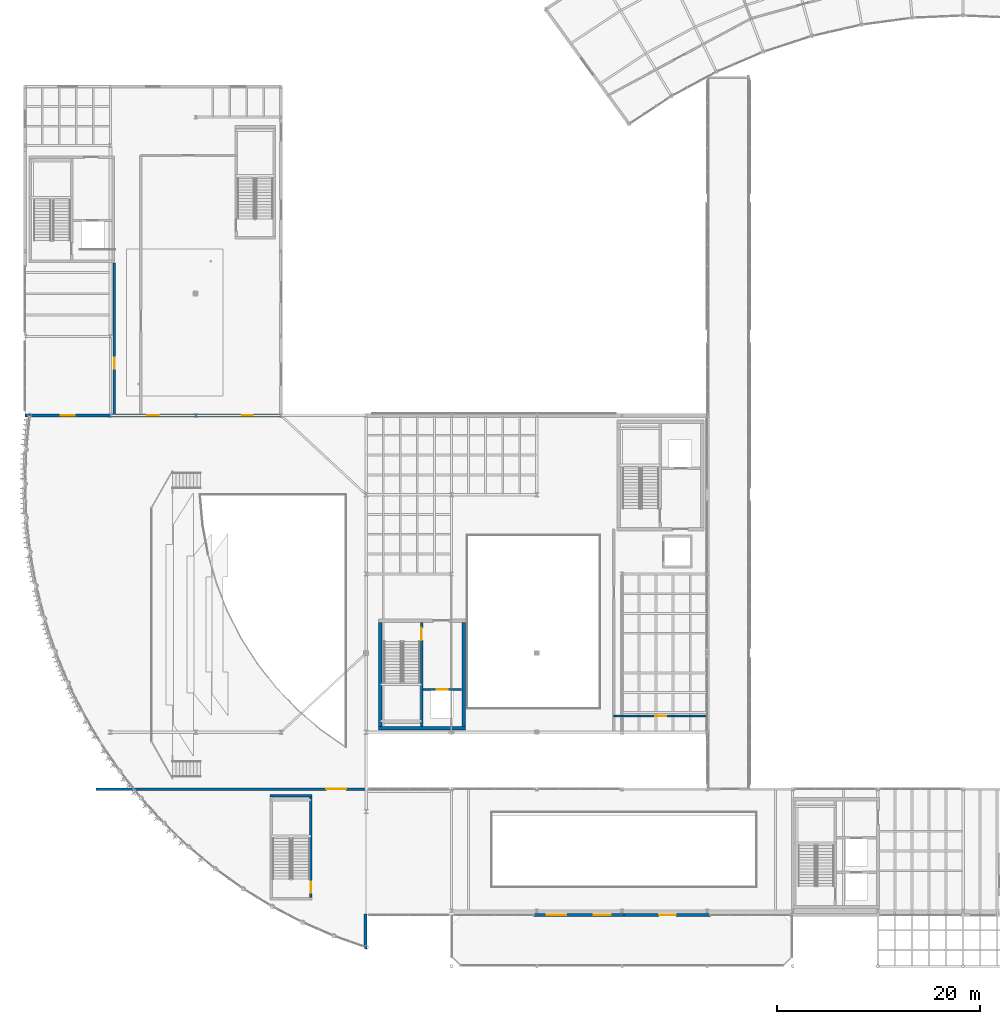
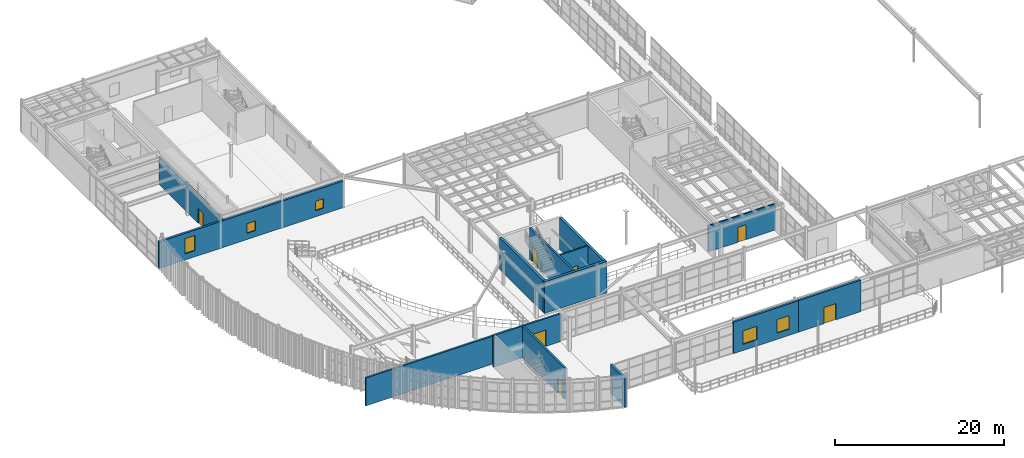
# One storey, part 95 of 116: 14 walls, 7 doors, 5 windows, 12 openings.
"""IFC4 building model written with IfcOpenShell, lengths in metres."""

import ifcopenshell
import ifcopenshell.guid

model = None  # the IFC model being written
_history = None  # IfcOwnerHistory: only IFC2X3 demands one
_inside = {}  # id of a spatial element -> (the spatial element, [elements in it])
_under = {}  # id of a project, library or spatial element -> (it, [spatial elements below it])
_declared = {}  # id of a project -> (the project, [libraries it declares])
_typed = {}  # id of a type object -> (the type object, [elements of that type])
_made_of = {}  # id of a material, layer set ... -> (it, [elements and type objects made of it])


def new_model(schema):
    """Start an empty IFC model of exactly this schema.

    Asked for "IFC4X3", IfcOpenShell would pick the latest addendum, in which some entities
    have other attributes; the version numbers below select the first issue.
    IFC2X3 requires an IfcOwnerHistory on every rooted entity: one is made here for all.
    """
    global model, _history
    if schema == "IFC4X3":
        model = ifcopenshell.file(schema_version=(4, 3, 0, 0))
    else:
        model = ifcopenshell.file(schema=schema)
    _inside.clear()
    _under.clear()
    _declared.clear()
    _typed.clear()
    _made_of.clear()
    _history = None
    if model.schema == "IFC2X3":
        org = make("IfcOrganization", Name="unknown")
        user = make(
            "IfcPersonAndOrganization",
            ThePerson=make("IfcPerson", FamilyName="unknown"),
            TheOrganization=org,
        )
        app = make(
            "IfcApplication",
            ApplicationDeveloper=org,
            Version="unknown",
            ApplicationFullName="unknown",
            ApplicationIdentifier="unknown",
        )
        _history = make(
            "IfcOwnerHistory",
            OwningUser=user,
            OwningApplication=app,
            ChangeAction="ADDED",
            CreationDate=0,
        )
    return model


def make(cls, **values):
    """One entity of the class cls with the attributes given. An attribute that is None is left unset."""
    return model.create_entity(
        cls, **{name: value for name, value in values.items() if value is not None}
    )


def rooted(cls, **values):
    """An entity with a GlobalId (a new one), such as an element, a storey or a relation."""
    return make(cls, GlobalId=ifcopenshell.guid.new(), OwnerHistory=_history, **values)


def si_unit(unit_type, name, prefix=None):
    """IfcSIUnit, for example si_unit("LENGTHUNIT", "METRE", prefix="MILLI")."""
    return make("IfcSIUnit", UnitType=unit_type, Prefix=prefix, Name=name)


def assignment(units):
    """IfcUnitAssignment: the units of a project."""
    return None if units is None else make("IfcUnitAssignment", Units=units)


def point(xyz):
    """IfcCartesianPoint."""
    return None if xyz is None else make("IfcCartesianPoint", Coordinates=xyz)


def direction(xyz):
    """IfcDirection."""
    return None if xyz is None else make("IfcDirection", DirectionRatios=xyz)


def frame(location, z_axis=None, x_axis=None):
    """IfcAxis2Placement3D, a coordinate frame: its origin and axes. An axis left out is left unset."""
    return make(
        "IfcAxis2Placement3D",
        Location=point(location),
        Axis=direction(z_axis),
        RefDirection=direction(x_axis),
    )


def frame_2d(location, x_axis=None):
    """IfcAxis2Placement2D, a coordinate frame in the plane: its origin and x axis."""
    return make(
        "IfcAxis2Placement2D", Location=point(location), RefDirection=direction(x_axis)
    )


def origin():
    """The frame at (0, 0, 0) with its axes left unset."""
    return frame((0.0, 0.0, 0.0))


def place(relative_to, where):
    """IfcLocalPlacement: puts the frame where relative to a parent placement (None: the world)."""
    return make(
        "IfcLocalPlacement", PlacementRelTo=relative_to, RelativePlacement=where
    )


def context(
    kind, dimensions, precision=None, world=None, true_north=None, identifier=None
):
    """IfcGeometricRepresentationContext, for example the 3D "Model" context."""
    return make(
        "IfcGeometricRepresentationContext",
        ContextIdentifier=identifier,
        ContextType=kind,
        CoordinateSpaceDimension=dimensions,
        Precision=precision,
        WorldCoordinateSystem=world,
        TrueNorth=true_north,
    )


def subcontext(parent, identifier, kind, view, scale=None):
    """IfcGeometricRepresentationSubContext, for example "Body" below "Model"."""
    return make(
        "IfcGeometricRepresentationSubContext",
        ContextIdentifier=identifier,
        ContextType=kind,
        ParentContext=parent,
        TargetScale=scale,
        TargetView=view,
    )


def project(units=None, contexts=None):
    """IfcProject with its units and contexts."""
    return rooted(
        "IfcProject",
        Name="project",
        RepresentationContexts=contexts,
        UnitsInContext=assignment(units),
    )


def spatial(cls, under=None, at=None, **own):
    """A site, building, storey or space (cls), placed at a placement, below another one or the project."""
    s = rooted(cls, ObjectPlacement=at, **own)
    if under is not None:
        _under.setdefault(under.id(), (under, []))[1].append(s)
    return s


def profile(cls, at=None, kind="AREA", **sizes):
    """A parametric profile (cls). Its sizes go by their IFC names, for example OverallWidth=200.0."""
    return make(cls, ProfileType=kind, Position=at, **sizes)


def rectangle(**sizes):
    """IfcRectangleProfileDef."""
    return profile("IfcRectangleProfileDef", **sizes)


def extrude(swept, where, along, depth):
    """IfcExtrudedAreaSolid: the profile swept, set in the frame where, extruded along a direction by depth."""
    return make(
        "IfcExtrudedAreaSolid",
        SweptArea=swept,
        Position=where,
        ExtrudedDirection=direction(along),
        Depth=depth,
    )


def shape(context_of_items, identifier, shape_type, items):
    """IfcShapeRepresentation: the items that make up one representation, for example the "Body"."""
    return make(
        "IfcShapeRepresentation",
        ContextOfItems=context_of_items,
        RepresentationIdentifier=identifier,
        RepresentationType=shape_type,
        Items=items,
    )


def material(Name=None, Category=None):
    """IfcMaterial."""
    return make("IfcMaterial", Name=Name, Category=Category)


def layer(
    of_material, thickness, ventilated=None, Name=None, Category=None, Priority=None
):
    """IfcMaterialLayer: one layer of a wall or slab, of a material (None: an air gap)."""
    return make(
        "IfcMaterialLayer",
        Material=of_material,
        LayerThickness=thickness,
        IsVentilated=ventilated,
        Name=Name,
        Category=Category,
        Priority=Priority,
    )


def layer_set(layers, Name=None):
    """IfcMaterialLayerSet."""
    return make("IfcMaterialLayerSet", MaterialLayers=layers, LayerSetName=Name)


def made_of(thing, what):
    """Note that an element or type object is made of a material, layer set ...; save() writes the relation."""
    if what is not None:
        _made_of.setdefault(what.id(), (what, []))[1].append(thing)
    return thing


def type_object(cls, material=None, **own):
    """A type object (cls), such as IfcWallType, which elements share."""
    return made_of(rooted(cls, **own), material)


def element(
    cls,
    number,
    at=None,
    inside=None,
    cuts=None,
    type_object=None,
    material=None,
    context=None,
    identifier="Body",
    shape_type=None,
    held_by="IfcProductDefinitionShape",
    body=None,
    shapes=None,
    **own,
):
    """One element of the class cls, such as IfcWall. Its Tag is "e" and its number.

    at: its placement. inside: the storey or other place that contains it. cuts: it is an
    opening in that element (IfcRelVoidsElement). A single representation is given by context,
    identifier, shape_type and body (its items); several are given by shapes. held_by: the class
    of the entity that holds the representations. save() writes the other relations.
    """
    e = rooted(cls, Tag="e%d" % number, ObjectPlacement=at, **own)
    if body is not None:
        shapes = [shape(context, identifier, shape_type, body)]
    if shapes is not None:
        e.Representation = make(held_by, Representations=shapes)
    if inside is not None:
        _inside.setdefault(inside.id(), (inside, []))[1].append(e)
    if cuts is not None:
        rooted(
            "IfcRelVoidsElement", RelatingBuildingElement=cuts, RelatedOpeningElement=e
        )
    if type_object is not None:
        _typed.setdefault(type_object.id(), (type_object, []))[1].append(e)
    return made_of(e, material)


def fill(opening, filler):
    """IfcRelFillsElement: the door or window that sits in an opening."""
    return rooted(
        "IfcRelFillsElement",
        RelatingOpeningElement=opening,
        RelatedBuildingElement=filler,
    )


def aggregate(whole, parts):
    """IfcRelAggregates: a whole, such as a stair, and the parts it consists of."""
    return rooted("IfcRelAggregates", RelatingObject=whole, RelatedObjects=parts)


def save(model, path):
    """Write the relations noted so far, then the file.

    IfcRelAggregates (storeys below a building ...), IfcRelContainedInSpatialStructure (elements
    in a storey), IfcRelDefinesByType, IfcRelAssociatesMaterial and IfcRelDeclares: one each for
    every whole, place, type object, material and project.
    """
    for whole, parts in _under.values():
        aggregate(whole, parts)
    for where, things in _inside.values():
        rooted(
            "IfcRelContainedInSpatialStructure",
            RelatedElements=things,
            RelatingStructure=where,
        )
    for kind, things in _typed.values():
        rooted("IfcRelDefinesByType", RelatedObjects=things, RelatingType=kind)
    for what, things in _made_of.values():
        rooted("IfcRelAssociatesMaterial", RelatedObjects=things, RelatingMaterial=what)
    for by, libraries in _declared.values():
        rooted("IfcRelDeclares", RelatingContext=by, RelatedDefinitions=libraries)
    model.write(path)


model = new_model("IFC4")

# Units and contexts
model_context = context("Model", 3, precision=1e-05, world=origin(), true_north=direction((0.0, 1.0)))
body_context = subcontext(model_context, "Body", "Model", "MODEL_VIEW")
ifc_project = project(units=[si_unit("LENGTHUNIT", "METRE"), si_unit("AREAUNIT", "SQUARE_METRE"), si_unit("VOLUMEUNIT", "CUBIC_METRE"), si_unit("PLANEANGLEUNIT", "RADIAN"), si_unit("MASSUNIT", "GRAM", prefix="KILO")], contexts=[model_context])

# Site, building, storey
site_placement = place(None, origin())
site = spatial("IfcSite", under=ifc_project, at=site_placement, CompositionType="ELEMENT")
building_placement = place(site_placement, origin())
building = spatial("IfcBuilding", under=site, at=building_placement, Name="Selat Folded Stagehouse", CompositionType="ELEMENT")
storey_placement = place(building_placement, frame((0.0, 0.0, 5.39990234375)))
storey = spatial("IfcBuildingStorey", under=building, at=storey_placement, Name="L01", CompositionType="ELEMENT", Elevation=5.39990234375)

# Wall, opening, door
ifc_material_1 = material(Name="Double-stud acoustic gypsum and mineral wool", Category="gypsum")
ifc_layer_1 = layer(ifc_material_1, 0.239990234375)
ifc_layer_set_1 = layer_set([ifc_layer_1], Name="Double-stud acoustic gypsum and mineral wool")
wall_type_1 = type_object("IfcWallType", Name="WAL-ACOU-240", PredefinedType="PARTITIONING", material=ifc_layer_set_1)
wall_1_placement = place(storey_placement, frame((7.0, 17.800048828125, 0.0), z_axis=(0.0, 0.0, 1.0), x_axis=(1.0, 0.0, 0.0)))
wall_1 = element("IfcWall", 1, at=wall_1_placement, inside=storey, type_object=wall_type_1, Name="L01 interior partition wall 044", PredefinedType="PARTITIONING", context=body_context, shape_type="SweptSolid", body=[
    extrude(rectangle(XDim=26.60009765625, YDim=0.239990234375, at=frame_2d((13.300048828125, 0.0))), origin(), (0.0, 0.0, 1.0), 4.03271484375),
])
opening_1_placement = place(wall_1_placement, frame((22.677978515625, 0.0, 0.0)))
opening_1 = element("IfcOpeningElement", 2, at=opening_1_placement, cuts=wall_1, Name="Opening AD-02", PredefinedType="OPENING", context=body_context, shape_type="SweptSolid", body=[
    extrude(rectangle(XDim=1.949951171875, YDim=2.35009765625, at=frame_2d((0.97509765625, 1.175048828125))), frame((0.0, 0.1298828125, 0.0), z_axis=(0.0, -1.0, 0.0), x_axis=(1.0, 0.0, 0.0)), (0.0, 0.0, 1.0), 0.260009765625),
])
ifc_material_2 = material(Name="Circle auditorium acoustic double door", Category="wood")
door_type_1 = type_object("IfcDoorType", Name="DOR-AUD-1950", OperationType="NOTDEFINED", PredefinedType="DOOR", material=ifc_material_2)
door_1_placement = place(opening_1_placement, origin())
door_1 = element("IfcDoor", 3, at=door_1_placement, inside=storey, type_object=door_type_1, Name="L01 interior door IWAL-L01-044-1", OperationType="SINGLE_SWING_LEFT", OverallHeight=2.35009765625, OverallWidth=1.949951171875, PredefinedType="DOOR", context=body_context, shape_type="SweptSolid", body=[
    extrude(rectangle(XDim=1.949951171875, YDim=2.35009765625, at=frame_2d((0.97509765625, 1.175048828125))), frame((0.0, 0.02490234375, 0.0), z_axis=(0.0, -1.0, 0.0), x_axis=(1.0, 0.0, 0.0)), (0.0, 0.0, 1.0), 0.050048828125),
])
fill(opening_1, door_1)

wall_2_placement = place(storey_placement, frame((8.800048828125, 54.60009765625, 0.0), z_axis=(0.0, 0.0, 1.0), x_axis=(0.0, 1.0, 0.0)))
wall_2 = element("IfcWall", 4, at=wall_2_placement, inside=storey, type_object=wall_type_1, Name="L01 interior partition wall 054", PredefinedType="PARTITIONING", context=body_context, shape_type="SweptSolid", body=[
    extrude(rectangle(XDim=15.0, YDim=0.239990234375, at=frame_2d((7.5, 0.0))), origin(), (0.0, 0.0, 1.0), 4.0390625),
])
opening_2_placement = place(wall_2_placement, frame((4.5869140625, 0.0, 0.0)))
opening_2 = element("IfcOpeningElement", 5, at=opening_2_placement, cuts=wall_2, Name="Opening FD-60", PredefinedType="OPENING", context=body_context, shape_type="SweptSolid", body=[
    extrude(rectangle(XDim=1.10009765625, YDim=2.14990234375, at=frame_2d((0.550048828125, 1.074951171875))), frame((0.0, 0.1298828125, 0.0), z_axis=(0.0, -1.0, 0.0), x_axis=(1.0, 0.0, 0.0)), (0.0, 0.0, 1.0), 0.260009765625),
])
ifc_material_3 = material(Name="Fire-rated timber core door", Category="wood")
door_type_2 = type_object("IfcDoorType", Name="DOR-FIRE-60", OperationType="NOTDEFINED", PredefinedType="DOOR", material=ifc_material_3)
door_2_placement = place(opening_2_placement, origin())
door_2 = element("IfcDoor", 6, at=door_2_placement, inside=storey, type_object=door_type_2, Name="L01 interior door IWAL-L01-054-1", OperationType="SINGLE_SWING_LEFT", OverallHeight=2.14990234375, OverallWidth=1.10009765625, PredefinedType="DOOR", context=body_context, shape_type="SweptSolid", body=[
    extrude(rectangle(XDim=1.10009765625, YDim=2.14990234375, at=frame_2d((0.550048828125, 1.074951171875))), frame((0.0, 0.02490234375, 0.0), z_axis=(0.0, -1.0, 0.0), x_axis=(1.0, 0.0, 0.0)), (0.0, 0.0, 1.0), 0.050048828125),
])
fill(opening_2, door_2)

ifc_material_4 = material(Name="Concrete C40/50", Category="concrete")
ifc_layer_2 = layer(ifc_material_4, 0.179931640625)
ifc_layer_set_2 = layer_set([ifc_layer_2], Name="Concrete C40/50")
wall_type_2 = type_object("IfcWallType", Name="WAL-COMP-180", PredefinedType="STANDARD", material=ifc_layer_set_2)
wall_3_placement = place(storey_placement, frame((58.0, 25.0, 0.0), z_axis=(0.0, 0.0, 1.0), x_axis=(1.0, 0.0, 0.0)))
wall_3 = element("IfcWall", 7, at=wall_3_placement, inside=storey, type_object=wall_type_2, Name="L01 interior partition wall 046", PredefinedType="STANDARD", context=body_context, shape_type="SweptSolid", body=[
    extrude(rectangle(XDim=9.199951171875, YDim=0.179931640625, at=frame_2d((4.60009765625, 0.0))), origin(), (0.0, 0.0, 1.0), 3.80224609375),
])
opening_3_placement = place(wall_3_placement, frame((4.050048828125, 0.0, 0.0)))
opening_3 = element("IfcOpeningElement", 8, at=opening_3_placement, cuts=wall_3, Name="Opening FD-60", PredefinedType="OPENING", context=body_context, shape_type="SweptSolid", body=[
    extrude(rectangle(XDim=1.10009765625, YDim=2.14990234375, at=frame_2d((0.550048828125, 1.074951171875))), frame((0.0, 0.099853515625, 0.0), z_axis=(0.0, -1.0, 0.0), x_axis=(1.0, 0.0, 0.0)), (0.0, 0.0, 1.0), 0.199951171875),
])
door_3_placement = place(opening_3_placement, origin())
door_3 = element("IfcDoor", 9, at=door_3_placement, inside=storey, type_object=door_type_2, Name="L01 interior door IWAL-L01-046-1", OperationType="SINGLE_SWING_LEFT", OverallHeight=2.14990234375, OverallWidth=1.10009765625, PredefinedType="DOOR", context=body_context, shape_type="SweptSolid", body=[
    extrude(rectangle(XDim=1.10009765625, YDim=2.14990234375, at=frame_2d((0.550048828125, 1.074951171875))), frame((0.0, 0.02490234375, 0.0), z_axis=(0.0, -1.0, 0.0), x_axis=(1.0, 0.0, 0.0)), (0.0, 0.0, 1.0), 0.050048828125),
])
fill(opening_3, door_3)

ifc_layer_3 = layer(ifc_material_4, 0.215087890625)
ifc_layer_set_3 = layer_set([ifc_layer_3], Name="Concrete C40/50")
wall_type_3 = type_object("IfcWallType", Name="WAL-COMP-215", PredefinedType="STANDARD", material=ifc_layer_set_3)
wall_4_placement = place(storey_placement, frame((39.2099609375, 27.60009765625, 0.0), z_axis=(0.0, 0.0, 1.0), x_axis=(1.0, 0.0, 0.0)))
wall_4 = element("IfcWall", 10, at=wall_4_placement, inside=storey, type_object=wall_type_3, Name="L01 FL-01 lift shaft front wall", PredefinedType="STANDARD", context=body_context, shape_type="SweptSolid", body=[
    extrude(rectangle(XDim=3.794921875, YDim=0.215087890625, at=frame_2d((1.8974609375, 0.0))), origin(), (0.0, 0.0, 1.0), 4.572021484375),
])
opening_4_placement = place(wall_4_placement, frame((1.347412109375, 0.0, 0.0)))
opening_4 = element("IfcOpeningElement", 11, at=opening_4_placement, cuts=wall_4, Name="Opening LD-01", PredefinedType="OPENING", context=body_context, shape_type="SweptSolid", body=[
    extrude(rectangle(XDim=1.10009765625, YDim=2.199951171875, at=frame_2d((0.550048828125, 1.10009765625))), frame((0.0, 0.117431640625, 0.0), z_axis=(0.0, -1.0, 0.0), x_axis=(1.0, 0.0, 0.0)), (0.0, 0.0, 1.0), 0.235107421875),
])
ifc_material_5 = material(Name="Firefighting lift stainless sliding landing door", Category="wood")
door_type_3 = type_object("IfcDoorType", Name="DOR-LFT-1100", OperationType="NOTDEFINED", PredefinedType="DOOR", material=ifc_material_5)
door_4_placement = place(opening_4_placement, origin())
door_4 = element("IfcDoor", 12, at=door_4_placement, inside=storey, type_object=door_type_3, Name="L01 FL-01 lift sliding landing door", OperationType="SLIDING_TO_LEFT", OverallHeight=2.199951171875, OverallWidth=1.10009765625, PredefinedType="DOOR", context=body_context, shape_type="SweptSolid", body=[
    extrude(rectangle(XDim=1.10009765625, YDim=2.199951171875, at=frame_2d((0.550048828125, 1.10009765625))), frame((0.0, 0.02490234375, 0.0), z_axis=(0.0, -1.0, 0.0), x_axis=(1.0, 0.0, 0.0)), (0.0, 0.0, 1.0), 0.050048828125),
])
fill(opening_4, door_4)

# Wall
ifc_material_6 = material(Name="Concrete C50/60", Category="concrete")
ifc_layer_4 = layer(ifc_material_6, 0.25)
ifc_layer_set_4 = layer_set([ifc_layer_4], Name="Concrete C50/60")
wall_type_4 = type_object("IfcWallType", Name="WAL-CORE-250", PredefinedType="SHEAR", material=ifc_layer_set_4)
wall_5_placement = place(storey_placement, frame((24.114990234375, 17.159912109375, 0.0), z_axis=(0.0, 0.0, 1.0), x_axis=(1.0, 0.0, 0.0)))
element("IfcWall", 13, at=wall_5_placement, inside=storey, type_object=wall_type_4, Name="L01 ST-09 north shaft wall", PredefinedType="SHEAR", context=body_context, shape_type="SweptSolid", body=[
    extrude(rectangle(XDim=4.14990234375, YDim=0.25, at=frame_2d((2.074951171875, 0.0))), origin(), (0.0, 0.0, 1.0), 4.580078125),
])

# Wall, opening, door
wall_6_placement = place(storey_placement, frame((28.139892578125, 17.034912109375, 0.0), z_axis=(0.0, 0.0, 1.0), x_axis=(0.0, -1.0, 0.0)))
wall_6 = element("IfcWall", 14, at=wall_6_placement, inside=storey, type_object=wall_type_4, Name="L01 ST-09 east shaft wall", PredefinedType="SHEAR", context=body_context, shape_type="SweptSolid", body=[
    extrude(rectangle(XDim=9.909912109375, YDim=0.25, at=frame_2d((4.955078125, 0.0))), origin(), (0.0, 0.0, 1.0), 4.580078125),
])
opening_5_placement = place(wall_6_placement, frame((8.360107421875, 0.0, 0.0)))
opening_5 = element("IfcOpeningElement", 15, at=opening_5_placement, cuts=wall_6, Name="Opening FD-60", PredefinedType="OPENING", context=body_context, shape_type="SweptSolid", body=[
    extrude(rectangle(XDim=1.10009765625, YDim=2.14990234375, at=frame_2d((0.550048828125, 1.074951171875))), frame((0.0, 0.135009765625, 0.0), z_axis=(0.0, -1.0, 0.0), x_axis=(1.0, 0.0, 0.0)), (0.0, 0.0, 1.0), 0.27001953125),
])
door_5_placement = place(opening_5_placement, origin())
door_5 = element("IfcDoor", 16, at=door_5_placement, inside=storey, type_object=door_type_2, Name="L01 ST-09 stair door", OperationType="SINGLE_SWING_RIGHT", OverallHeight=2.14990234375, OverallWidth=1.10009765625, PredefinedType="DOOR", context=body_context, shape_type="SweptSolid", body=[
    extrude(rectangle(XDim=1.10009765625, YDim=2.14990234375, at=frame_2d((0.550048828125, 1.074951171875))), frame((0.0, 0.02490234375, 0.0), z_axis=(0.0, -1.0, 0.0), x_axis=(1.0, 0.0, 0.0)), (0.0, 0.0, 1.0), 0.050048828125),
])
fill(opening_5, door_5)

wall_7_placement = place(storey_placement, frame((39.050048828125, 34.22509765625, 0.0), z_axis=(0.0, 0.0, 1.0), x_axis=(0.0, -1.0, 0.0)))
wall_7 = element("IfcWall", 17, at=wall_7_placement, inside=storey, type_object=wall_type_4, Name="L01 CR-1 internal core divider wall", PredefinedType="SHEAR", context=body_context, shape_type="SweptSolid", body=[
    extrude(rectangle(XDim=10.25, YDim=0.25, at=frame_2d((5.125, 0.0))), origin(), (0.0, 0.0, 1.0), 4.580078125),
])
opening_6_placement = place(wall_7_placement, frame((0.550048828125, 0.0, 0.0)))
opening_6 = element("IfcOpeningElement", 18, at=opening_6_placement, cuts=wall_7, Name="Opening FD-120", PredefinedType="OPENING", context=body_context, shape_type="SweptSolid", body=[
    extrude(rectangle(XDim=1.199951171875, YDim=2.14990234375, at=frame_2d((0.60009765625, 1.074951171875))), frame((0.0, 0.135009765625, 0.0), z_axis=(0.0, -1.0, 0.0), x_axis=(1.0, 0.0, 0.0)), (0.0, 0.0, 1.0), 0.27001953125),
])
ifc_material_7 = material(Name="Fire-rated steel acoustic door", Category="steel")
door_type_4 = type_object("IfcDoorType", Name="DOR-FIRE-120", OperationType="NOTDEFINED", PredefinedType="DOOR", material=ifc_material_7)
door_6_placement = place(opening_6_placement, origin())
door_6 = element("IfcDoor", 19, at=door_6_placement, inside=storey, type_object=door_type_4, Name="L01 CR-1 protected stair fire door", OperationType="SINGLE_SWING_LEFT", OverallHeight=2.14990234375, OverallWidth=1.199951171875, PredefinedType="DOOR", context=body_context, shape_type="SweptSolid", body=[
    extrude(rectangle(XDim=1.199951171875, YDim=2.14990234375, at=frame_2d((0.60009765625, 1.074951171875))), frame((0.0, 0.02490234375, 0.0), z_axis=(0.0, -1.0, 0.0), x_axis=(1.0, 0.0, 0.0)), (0.0, 0.0, 1.0), 0.050048828125),
])
fill(opening_6, door_6)

# Wall, openings, windows
ifc_material_8 = material(Name="Precast concrete C40/50", Category="concrete")
ifc_layer_5 = layer(ifc_material_8, 0.27490234375)
ifc_layer_set_5 = layer_set([ifc_layer_5], Name="Precast concrete C40/50")
wall_type_5 = type_object("IfcWallType", Name="WAL-EXT-275", PredefinedType="STANDARD", material=ifc_layer_set_5)
wall_8_placement = place(storey_placement, frame((59.10009765625, 5.39990234375, 0.0), z_axis=(0.0, 0.0, 1.0), x_axis=(-1.0, 0.0, 0.0)))
wall_8 = element("IfcWall", 20, at=wall_8_placement, inside=storey, type_object=wall_type_5, Name="L01 exterior facade wall EW-L01-FYR-S1", PredefinedType="STANDARD", context=body_context, shape_type="SweptSolid", body=[
    extrude(rectangle(XDim=9.0, YDim=0.27490234375, at=frame_2d((4.5, 0.0))), origin(), (0.0, 0.0, 1.0), 4.552001953125),
])
opening_7_placement = place(wall_8_placement, frame((1.39990234375, 0.0, 0.89990234375)))
opening_7 = element("IfcOpeningElement", 21, at=opening_7_placement, cuts=wall_8, Name="Opening WN-32", PredefinedType="OPENING", context=body_context, shape_type="SweptSolid", body=[
    extrude(rectangle(XDim=1.699951171875, YDim=1.949951171875, at=frame_2d((0.85009765625, 0.97509765625))), frame((0.0, 0.1474609375, 0.0), z_axis=(0.0, -1.0, 0.0), x_axis=(1.0, 0.0, 0.0)), (0.0, 0.0, 1.0), 0.294921875),
])
opening_8_placement = place(wall_8_placement, frame((5.800048828125, 0.0, 0.89990234375)))
opening_8 = element("IfcOpeningElement", 22, at=opening_8_placement, cuts=wall_8, Name="Opening WN-31", PredefinedType="OPENING", context=body_context, shape_type="SweptSolid", body=[
    extrude(rectangle(XDim=1.89990234375, YDim=1.949951171875, at=frame_2d((0.949951171875, 0.97509765625))), frame((0.0, 0.1474609375, 0.0), z_axis=(0.0, -1.0, 0.0), x_axis=(1.0, 0.0, 0.0)), (0.0, 0.0, 1.0), 0.294921875),
])
ifc_material_9 = material(Name="Thermally broken aluminium and acoustic low-E glass", Category="aluminium")
window_type_1 = type_object("IfcWindowType", Name="WIN-ED-1700x1950", PartitioningType="SINGLE_PANEL", PredefinedType="WINDOW", material=ifc_material_9)
window_1_placement = place(opening_7_placement, origin())
window_1 = element("IfcWindow", 23, at=window_1_placement, inside=storey, type_object=window_type_1, Name="L01 exterior window EW-L01-FYR-S1-1", OverallHeight=1.949951171875, OverallWidth=1.699951171875, PartitioningType="SINGLE_PANEL", PredefinedType="WINDOW", context=body_context, shape_type="SweptSolid", body=[
    extrude(rectangle(XDim=1.699951171875, YDim=1.949951171875, at=frame_2d((0.85009765625, 0.97509765625))), frame((0.0, 0.030029296875, 0.0), z_axis=(0.0, -1.0, 0.0), x_axis=(1.0, 0.0, 0.0)), (0.0, 0.0, 1.0), 0.06005859375),
])
fill(opening_7, window_1)
window_type_2 = type_object("IfcWindowType", Name="WIN-ED-1900x1950", PartitioningType="SINGLE_PANEL", PredefinedType="WINDOW", material=ifc_material_9)
window_2_placement = place(opening_8_placement, origin())
window_2 = element("IfcWindow", 24, at=window_2_placement, inside=storey, type_object=window_type_2, Name="L01 exterior window EW-L01-FYR-S1-2", OverallHeight=1.949951171875, OverallWidth=1.89990234375, PartitioningType="SINGLE_PANEL", PredefinedType="WINDOW", context=body_context, shape_type="SweptSolid", body=[
    extrude(rectangle(XDim=1.89990234375, YDim=1.949951171875, at=frame_2d((0.949951171875, 0.97509765625))), frame((0.0, 0.030029296875, 0.0), z_axis=(0.0, -1.0, 0.0), x_axis=(1.0, 0.0, 0.0)), (0.0, 0.0, 1.0), 0.06005859375),
])
fill(opening_8, window_2)

# Wall, opening, door
wall_9_placement = place(storey_placement, frame((67.5, 5.39990234375, 0.0), z_axis=(0.0, 0.0, 1.0), x_axis=(-1.0, 0.0, 0.0)))
wall_9 = element("IfcWall", 25, at=wall_9_placement, inside=storey, type_object=wall_type_5, Name="L01 exterior facade wall EW-L01-TERR-DR", PredefinedType="STANDARD", context=body_context, shape_type="SweptSolid", body=[
    extrude(rectangle(XDim=8.5, YDim=0.27490234375, at=frame_2d((4.25, 0.0))), origin(), (0.0, 0.0, 1.0), 4.552001953125),
])
opening_9_placement = place(wall_9_placement, frame((3.39990234375, 0.0, 0.0)))
opening_9 = element("IfcOpeningElement", 26, at=opening_9_placement, cuts=wall_9, Name="Opening ED-05", PredefinedType="OPENING", context=body_context, shape_type="SweptSolid", body=[
    extrude(rectangle(XDim=1.64990234375, YDim=2.35009765625, at=frame_2d((0.824951171875, 1.175048828125))), frame((0.0, 0.1474609375, 0.0), z_axis=(0.0, -1.0, 0.0), x_axis=(1.0, 0.0, 0.0)), (0.0, 0.0, 1.0), 0.294921875),
])
ifc_material_10 = material(Name="Powder-coated steel and laminated safety glass", Category="steel")
door_type_5 = type_object("IfcDoorType", Name="DOR-EXT-1650x2350", OperationType="NOTDEFINED", PredefinedType="DOOR", material=ifc_material_10)
door_7_placement = place(opening_9_placement, origin())
door_7 = element("IfcDoor", 27, at=door_7_placement, inside=storey, type_object=door_type_5, Name="L01 exterior door EW-L01-TERR-DR-1", OperationType="SINGLE_SWING_RIGHT", OverallHeight=2.35009765625, OverallWidth=1.64990234375, PredefinedType="DOOR", context=body_context, shape_type="SweptSolid", body=[
    extrude(rectangle(XDim=1.64990234375, YDim=2.35009765625, at=frame_2d((0.824951171875, 1.175048828125))), frame((0.0, 0.02490234375, 0.0), z_axis=(0.0, -1.0, 0.0), x_axis=(1.0, 0.0, 0.0)), (0.0, 0.0, 1.0), 0.050048828125),
])
fill(opening_9, door_7)

# Wall
wall_10_placement = place(storey_placement, frame((33.52001953125, 2.050048828125, 0.0), z_axis=(0.0, 0.0, 1.0), x_axis=(0.0, 1.0, 0.0)))
element("IfcWall", 28, at=wall_10_placement, inside=storey, type_object=wall_type_5, Name="L01 exterior facade wall EW-L01-V1E-S", PredefinedType="STANDARD", context=body_context, shape_type="SweptSolid", body=[
    extrude(rectangle(XDim=3.449951171875, YDim=0.27490234375, at=frame_2d((1.72509765625, 0.0))), origin(), (0.0, 0.0, 1.0), 4.172119140625),
])

# Wall, openings, windows
wall_11_placement = place(storey_placement, frame((25.199951171875, 54.60009765625, 0.0), z_axis=(0.0, 0.0, 1.0), x_axis=(-1.0, 0.0, 0.0)))
wall_11 = element("IfcWall", 29, at=wall_11_placement, inside=storey, type_object=wall_type_5, Name="L01 exterior facade wall EW-L01-V4S", PredefinedType="STANDARD", context=body_context, shape_type="SweptSolid", body=[
    extrude(rectangle(XDim=25.199951171875, YDim=0.27490234375, at=frame_2d((12.60009765625, 0.0))), origin(), (0.0, 0.0, 1.0), 3.86572265625),
])
opening_10_placement = place(wall_11_placement, frame((2.77490234375, 0.0, 0.89990234375)))
opening_10 = element("IfcOpeningElement", 30, at=opening_10_placement, cuts=wall_11, Name="Opening WN-43", PredefinedType="OPENING", context=body_context, shape_type="SweptSolid", body=[
    extrude(rectangle(XDim=1.050048828125, YDim=1.35009765625, at=frame_2d((0.52490234375, 0.675048828125))), frame((0.0, 0.1474609375, 0.0), z_axis=(0.0, -1.0, 0.0), x_axis=(1.0, 0.0, 0.0)), (0.0, 0.0, 1.0), 0.294921875),
])
opening_11_placement = place(wall_11_placement, frame((12.02490234375, 0.0, 0.89990234375)))
opening_11 = element("IfcOpeningElement", 31, at=opening_11_placement, cuts=wall_11, Name="Opening WN-42", PredefinedType="OPENING", context=body_context, shape_type="SweptSolid", body=[
    extrude(rectangle(XDim=1.14990234375, YDim=1.39990234375, at=frame_2d((0.574951171875, 0.699951171875))), frame((0.0, 0.1474609375, 0.0), z_axis=(0.0, -1.0, 0.0), x_axis=(1.0, 0.0, 0.0)), (0.0, 0.0, 1.0), 0.294921875),
])
opening_12_placement = place(wall_11_placement, frame((20.324951171875, 0.0, 0.89990234375)))
opening_12 = element("IfcOpeningElement", 32, at=opening_12_placement, cuts=wall_11, Name="Opening WN-41", PredefinedType="OPENING", context=body_context, shape_type="SweptSolid", body=[
    extrude(rectangle(XDim=1.35009765625, YDim=2.199951171875, at=frame_2d((0.675048828125, 1.10009765625))), frame((0.0, 0.1474609375, 0.0), z_axis=(0.0, -1.0, 0.0), x_axis=(1.0, 0.0, 0.0)), (0.0, 0.0, 1.0), 0.294921875),
])
window_type_3 = type_object("IfcWindowType", Name="WIN-ST-1050x1350", PartitioningType="SINGLE_PANEL", PredefinedType="WINDOW", material=ifc_material_9)
window_3_placement = place(opening_10_placement, origin())
window_3 = element("IfcWindow", 33, at=window_3_placement, inside=storey, type_object=window_type_3, Name="L01 exterior window EW-L01-V4S-1", OverallHeight=1.35009765625, OverallWidth=1.050048828125, PartitioningType="SINGLE_PANEL", PredefinedType="WINDOW", context=body_context, shape_type="SweptSolid", body=[
    extrude(rectangle(XDim=1.050048828125, YDim=1.35009765625, at=frame_2d((0.52490234375, 0.675048828125))), frame((0.0, 0.030029296875, 0.0), z_axis=(0.0, -1.0, 0.0), x_axis=(1.0, 0.0, 0.0)), (0.0, 0.0, 1.0), 0.06005859375),
])
fill(opening_10, window_3)
window_type_4 = type_object("IfcWindowType", Name="WIN-ST-1150x1400", PartitioningType="SINGLE_PANEL", PredefinedType="WINDOW", material=ifc_material_9)
window_4_placement = place(opening_11_placement, origin())
window_4 = element("IfcWindow", 34, at=window_4_placement, inside=storey, type_object=window_type_4, Name="L01 exterior window EW-L01-V4S-2", OverallHeight=1.39990234375, OverallWidth=1.14990234375, PartitioningType="SINGLE_PANEL", PredefinedType="WINDOW", context=body_context, shape_type="SweptSolid", body=[
    extrude(rectangle(XDim=1.14990234375, YDim=1.39990234375, at=frame_2d((0.574951171875, 0.699951171875))), frame((0.0, 0.030029296875, 0.0), z_axis=(0.0, -1.0, 0.0), x_axis=(1.0, 0.0, 0.0)), (0.0, 0.0, 1.0), 0.06005859375),
])
fill(opening_11, window_4)
window_type_5 = type_object("IfcWindowType", Name="WIN-ST-1350x2200", PartitioningType="SINGLE_PANEL", PredefinedType="WINDOW", material=ifc_material_9)
window_5_placement = place(opening_12_placement, origin())
window_5 = element("IfcWindow", 35, at=window_5_placement, inside=storey, type_object=window_type_5, Name="L01 exterior window EW-L01-V4S-3", OverallHeight=2.199951171875, OverallWidth=1.35009765625, PartitioningType="SINGLE_PANEL", PredefinedType="WINDOW", context=body_context, shape_type="SweptSolid", body=[
    extrude(rectangle(XDim=1.35009765625, YDim=2.199951171875, at=frame_2d((0.675048828125, 1.10009765625))), frame((0.0, 0.030029296875, 0.0), z_axis=(0.0, -1.0, 0.0), x_axis=(1.0, 0.0, 0.0)), (0.0, 0.0, 1.0), 0.06005859375),
])
fill(opening_12, window_5)

# Walls
ifc_layer_6 = layer(ifc_material_6, 0.35009765625)
ifc_layer_set_6 = layer_set([ifc_layer_6], Name="Concrete C50/60")
wall_type_6 = type_object("IfcWallType", Name="WAL-SW-350", PredefinedType="SHEAR", material=ifc_layer_set_6)
wall_12_placement = place(storey_placement, frame((43.375, 23.800048828125, 0.0), z_axis=(0.0, 0.0, 1.0), x_axis=(-1.0, 0.0, 0.0)))
element("IfcWall", 36, at=wall_12_placement, inside=storey, type_object=wall_type_6, Name="L01 CR-1 south shear wall", PredefinedType="SHEAR", context=body_context, shape_type="SweptSolid", body=[
    extrude(rectangle(XDim=8.550048828125, YDim=0.35009765625, at=frame_2d((4.27490234375, 0.0))), origin(), (0.0, 0.0, 1.0), 4.580078125),
])
for number, where, z_axis, x_axis, name in (
    (37, (35.0, 23.97509765625, 0.0), (0.0, 0.0, 1.0), (0.0, 1.0, 0.0), "L01 CR-1 west shear wall"),
    (38, (43.199951171875, 34.22509765625, 0.0), (0.0, 0.0, 1.0), (0.0, -1.0, 0.0), "L01 CR-1 east shear wall"),
):
    element("IfcWall", number, at=place(storey_placement, frame(where, z_axis=z_axis, x_axis=x_axis)), inside=storey, type_object=wall_type_6, Name=name, PredefinedType="SHEAR", context=body_context, shape_type="SweptSolid", body=[
        extrude(rectangle(XDim=10.25, YDim=0.35009765625, at=frame_2d((5.125, 0.0))), origin(), (0.0, 0.0, 1.0), 4.580078125),
    ])

save(model, "model.ifc")
